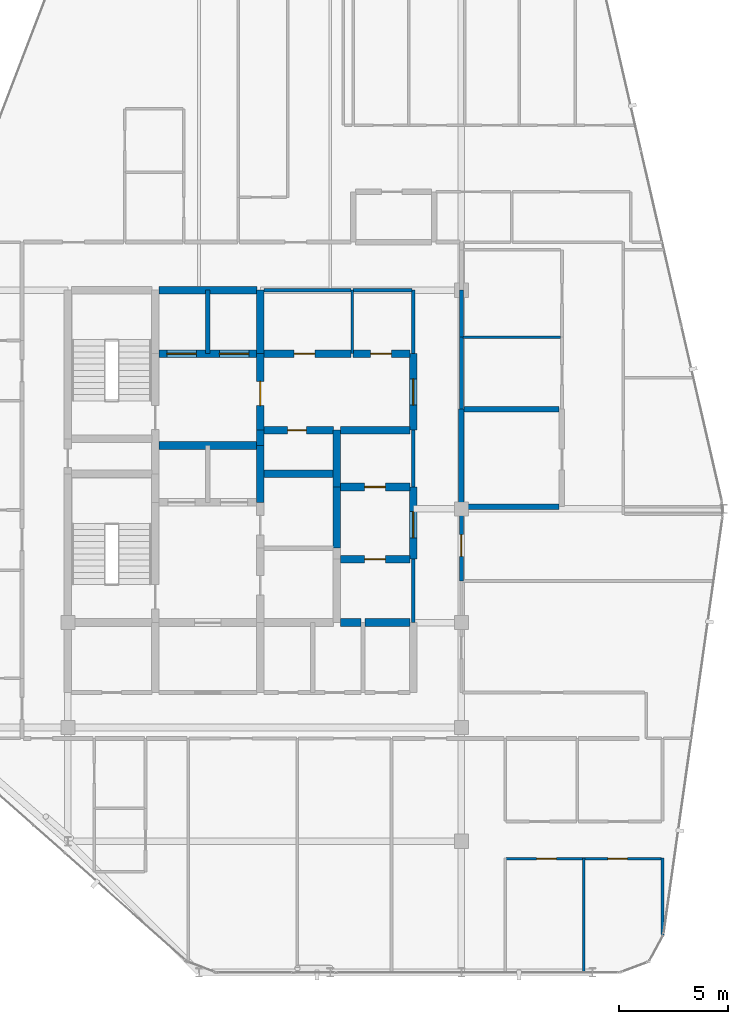
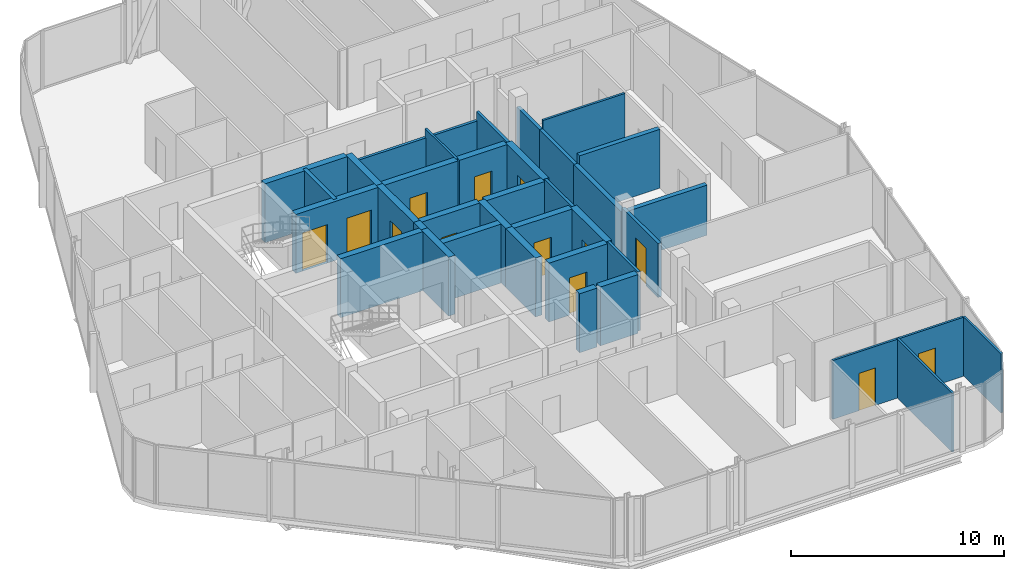
# One storey, part 24 of 27: 37 walls, 13 doors, 13 openings.
"""IFC4 building model written with IfcOpenShell, lengths in metres."""

from ifc_helpers import new_model, si_unit, direction, frame, frame_2d, origin, place, context, subcontext, project, spatial, rectangle, extrude, material, layer, layer_set, type_object, element, fill, save


model = new_model("IFC4")

# Units and contexts
model_context = context("Model", 3, precision=1e-05, world=origin(), true_north=direction((0.0, 1.0)))
body_context = subcontext(model_context, "Body", "Model", "MODEL_VIEW")
ifc_project = project(units=[si_unit("LENGTHUNIT", "METRE"), si_unit("AREAUNIT", "SQUARE_METRE"), si_unit("VOLUMEUNIT", "CUBIC_METRE"), si_unit("PLANEANGLEUNIT", "RADIAN"), si_unit("MASSUNIT", "GRAM", prefix="KILO")], contexts=[model_context])

# Site, building, storey
site_placement = place(None, origin())
site = spatial("IfcSite", under=ifc_project, at=site_placement, CompositionType="ELEMENT")
building_placement = place(site_placement, origin())
building = spatial("IfcBuilding", under=site, at=building_placement, Name="Keshet Zoharim Tower", CompositionType="ELEMENT")
storey_placement = place(building_placement, frame((0.0, 0.0, 295.39990234375)))
storey = spatial("IfcBuildingStorey", under=building, at=storey_placement, Name="L74", CompositionType="ELEMENT", Elevation=295.39990234375)

# Walls
ifc_material_1 = material(Name="Gypsum Plasterboard", Category="gypsum")
ifc_layer_1 = layer(ifc_material_1, 0.14990234375)
ifc_layer_set_1 = layer_set([ifc_layer_1], Name="Gypsum Plasterboard")
wall_type_1 = type_object("IfcWallType", Name="WL-CLIN-150", PredefinedType="STANDARD", material=ifc_layer_set_1)
wall_1_placement = place(storey_placement, frame((30.800048828125, 22.699951171875, 0.0), z_axis=(0.0, 0.0, 1.0), x_axis=(0.0, 1.0, 0.0)))
element("IfcWall", 1, at=wall_1_placement, inside=storey, type_object=wall_type_1, Name="L74 Interior Wall 057", PredefinedType="STANDARD", context=body_context, shape_type="SweptSolid", body=[
    extrude(rectangle(XDim=2.900146484375, YDim=0.14990234375, at=frame_2d((1.4501953125, 0.0))), origin(), (0.0, 0.0, 1.0), 3.380126953125),
])
wall_2_placement = place(storey_placement, frame((30.800048828125, 28.89990234375, 0.0), z_axis=(0.0, 0.0, 1.0), x_axis=(0.0, 1.0, 0.0)))
element("IfcWall", 2, at=wall_2_placement, inside=storey, type_object=wall_type_1, Name="L74 Interior Wall 059", PredefinedType="STANDARD", context=body_context, shape_type="SweptSolid", body=[
    extrude(rectangle(XDim=2.60009765625, YDim=0.14990234375, at=frame_2d((1.300048828125, 0.0))), origin(), (0.0, 0.0, 1.0), 3.380126953125),
])
wall_3_placement = place(storey_placement, frame((30.800048828125, 35.0, 0.0), z_axis=(0.0, 0.0, 1.0), x_axis=(0.0, 1.0, 0.0)))
element("IfcWall", 3, at=wall_3_placement, inside=storey, type_object=wall_type_1, Name="L74 Interior Wall 061", PredefinedType="STANDARD", context=body_context, shape_type="SweptSolid", body=[
    extrude(rectangle(XDim=2.89990234375, YDim=0.14990234375, at=frame_2d((1.449951171875, 0.0))), origin(), (0.0, 0.0, 1.0), 3.380126953125),
])
wall_4_placement = place(storey_placement, frame((23.9599609375, 37.89990234375, 0.0), z_axis=(0.0, 0.0, 1.0), x_axis=(1.0, 0.0, 0.0)))
element("IfcWall", 4, at=wall_4_placement, inside=storey, type_object=wall_type_1, Name="L74 Interior Wall 149", PredefinedType="STANDARD", context=body_context, shape_type="SweptSolid", body=[
    extrude(rectangle(XDim=3.9951171875, YDim=0.14990234375, at=frame_2d((1.99755859375, 0.0))), origin(), (0.0, 0.0, 1.0), 2.880126953125),
])
wall_5_placement = place(storey_placement, frame((28.044921875, 37.89990234375, 0.0), z_axis=(0.0, 0.0, 1.0), x_axis=(1.0, 0.0, 0.0)))
element("IfcWall", 5, at=wall_5_placement, inside=storey, type_object=wall_type_1, Name="L74 Interior Wall 150", PredefinedType="STANDARD", context=body_context, shape_type="SweptSolid", body=[
    extrude(rectangle(XDim=2.695068359375, YDim=0.14990234375, at=frame_2d((1.34765625, 0.0))), origin(), (0.0, 0.0, 1.0), 2.880126953125),
])
ifc_material_2 = material(Name="Concrete C60/75", Category="concrete")
ifc_layer_2 = layer(ifc_material_2, 0.35009765625)
ifc_layer_set_2 = layer_set([ifc_layer_2], Name="Concrete C60/75")
wall_type_2 = type_object("IfcWallType", Name="WL-CORE-350", PredefinedType="SHEAR", material=ifc_layer_set_2)
wall_6_placement = place(storey_placement, frame((23.800048828125, 28.199951171875, 0.0), z_axis=(0.0, 0.0, 1.0), x_axis=(0.0, 1.0, 0.0)))
element("IfcWall", 6, at=wall_6_placement, inside=storey, type_object=wall_type_2, Name="L74 Core Shear Wall 038", PredefinedType="SHEAR", context=body_context, shape_type="SweptSolid", body=[
    extrude(rectangle(XDim=2.60009765625, YDim=0.35009765625, at=frame_2d((1.300048828125, 0.0))), origin(), (0.0, 0.0, 1.0), 3.380126953125),
])
wall_7_placement = place(storey_placement, frame((23.800048828125, 30.800048828125, 0.0), z_axis=(0.0, 0.0, 1.0), x_axis=(0.0, 1.0, 0.0)))
element("IfcWall", 7, at=wall_7_placement, inside=storey, type_object=wall_type_2, Name="L74 Core Shear Wall 039", PredefinedType="SHEAR", context=body_context, shape_type="SweptSolid", body=[
    extrude(rectangle(XDim=0.699951171875, YDim=0.35009765625, at=frame_2d((0.35009765625, 0.0))), origin(), (0.0, 0.0, 1.0), 3.380126953125),
])

# Wall, opening, door
wall_8_placement = place(storey_placement, frame((23.800048828125, 31.5, 0.0), z_axis=(0.0, 0.0, 1.0), x_axis=(0.0, 1.0, 0.0)))
wall_8 = element("IfcWall", 8, at=wall_8_placement, inside=storey, type_object=wall_type_2, Name="L74 Core Shear Wall 040", PredefinedType="SHEAR", context=body_context, shape_type="SweptSolid", body=[
    extrude(rectangle(XDim=3.5, YDim=0.35009765625, at=frame_2d((1.75, 0.0))), origin(), (0.0, 0.0, 1.0), 3.380126953125),
])
opening_1_placement = place(wall_8_placement, frame((1.126953125, 0.0, 0.0)))
opening_1 = element("IfcOpeningElement", 9, at=opening_1_placement, cuts=wall_8, Name="Opening D-F611", PredefinedType="OPENING", context=body_context, shape_type="SweptSolid", body=[
    extrude(rectangle(XDim=1.10009765625, YDim=2.14990234375, at=frame_2d((0.550048828125, 1.074951171875))), frame((0.0, 0.18505859375, 0.0), z_axis=(0.0, -1.0, 0.0), x_axis=(1.0, 0.0, 0.0)), (0.0, 0.0, 1.0), 0.3701171875),
])
ifc_material_3 = material(Name="Hardwood Timber", Category="wood")
door_type_1 = type_object("IfcDoorType", Name="DR-FD60-110", OperationType="NOTDEFINED", PredefinedType="DOOR", material=ifc_material_3)
door_1_placement = place(opening_1_placement, origin())
door_1 = element("IfcDoor", 10, at=door_1_placement, inside=storey, type_object=door_type_1, Name="L74 Firefighting Lobby Fire Door", OperationType="SINGLE_SWING_LEFT", OverallHeight=2.14990234375, OverallWidth=1.10009765625, PredefinedType="DOOR", context=body_context, shape_type="SweptSolid", body=[
    extrude(rectangle(XDim=1.10009765625, YDim=2.14990234375, at=frame_2d((0.550048828125, 1.074951171875))), frame((0.0, 0.02490234375, 0.0), z_axis=(0.0, -1.0, 0.0), x_axis=(1.0, 0.0, 0.0)), (0.0, 0.0, 1.0), 0.050048828125),
])
fill(opening_1, door_1)

# Walls
wall_9_placement = place(storey_placement, frame((23.800048828125, 35.0, 0.0), z_axis=(0.0, 0.0, 1.0), x_axis=(0.0, 1.0, 0.0)))
element("IfcWall", 11, at=wall_9_placement, inside=storey, type_object=wall_type_2, Name="L74 Core Shear Wall 041", PredefinedType="SHEAR", context=body_context, shape_type="SweptSolid", body=[
    extrude(rectangle(XDim=2.89990234375, YDim=0.35009765625, at=frame_2d((1.449951171875, 0.0))), origin(), (0.0, 0.0, 1.0), 3.380126953125),
])
wall_10_placement = place(storey_placement, frame((27.300048828125, 26.10009765625, 0.0), z_axis=(0.0, 0.0, 1.0), x_axis=(0.0, 1.0, 0.0)))
element("IfcWall", 12, at=wall_10_placement, inside=storey, type_object=wall_type_2, Name="L74 Core Shear Wall 047", PredefinedType="SHEAR", context=body_context, shape_type="SweptSolid", body=[
    extrude(rectangle(XDim=2.7998046875, YDim=0.35009765625, at=frame_2d((1.39990234375, 0.0))), origin(), (0.0, 0.0, 1.0), 3.380126953125),
])
wall_11_placement = place(storey_placement, frame((27.300048828125, 28.89990234375, 0.0), z_axis=(0.0, 0.0, 1.0), x_axis=(0.0, 1.0, 0.0)))
element("IfcWall", 13, at=wall_11_placement, inside=storey, type_object=wall_type_2, Name="L74 Core Shear Wall 048", PredefinedType="SHEAR", context=body_context, shape_type="SweptSolid", body=[
    extrude(rectangle(XDim=2.60009765625, YDim=0.35009765625, at=frame_2d((1.300048828125, 0.0))), origin(), (0.0, 0.0, 1.0), 3.380126953125),
])

# Wall, opening, door
wall_12_placement = place(storey_placement, frame((30.800048828125, 25.60009765625, 0.0), z_axis=(0.0, 0.0, 1.0), x_axis=(0.0, 1.0, 0.0)))
wall_12 = element("IfcWall", 14, at=wall_12_placement, inside=storey, type_object=wall_type_2, Name="L74 Core Shear Wall 058", PredefinedType="SHEAR", context=body_context, shape_type="SweptSolid", body=[
    extrude(rectangle(XDim=3.2998046875, YDim=0.35009765625, at=frame_2d((1.64990234375, 0.0))), origin(), (0.0, 0.0, 1.0), 3.380126953125),
])
opening_2_placement = place(wall_12_placement, frame((0.97802734375, 0.0, 0.0)))
opening_2 = element("IfcOpeningElement", 15, at=opening_2_placement, cuts=wall_12, Name="Opening D-F612", PredefinedType="OPENING", context=body_context, shape_type="SweptSolid", body=[
    extrude(rectangle(XDim=1.199951171875, YDim=2.199951171875, at=frame_2d((0.60009765625, 1.10009765625))), frame((0.0, 0.18505859375, 0.0), z_axis=(0.0, -1.0, 0.0), x_axis=(1.0, 0.0, 0.0)), (0.0, 0.0, 1.0), 0.3701171875),
])
door_type_2 = type_object("IfcDoorType", Name="DR-FD60-120", OperationType="NOTDEFINED", PredefinedType="DOOR", material=ifc_material_3)
door_2_placement = place(opening_2_placement, origin())
door_2 = element("IfcDoor", 16, at=door_2_placement, inside=storey, type_object=door_type_2, Name="L74 East Lift Lobby Fire Door", OperationType="SINGLE_SWING_RIGHT", OverallHeight=2.199951171875, OverallWidth=1.199951171875, PredefinedType="DOOR", context=body_context, shape_type="SweptSolid", body=[
    extrude(rectangle(XDim=1.199951171875, YDim=2.199951171875, at=frame_2d((0.60009765625, 1.10009765625))), frame((0.0, 0.02490234375, 0.0), z_axis=(0.0, -1.0, 0.0), x_axis=(1.0, 0.0, 0.0)), (0.0, 0.0, 1.0), 0.050048828125),
])
fill(opening_2, door_2)

wall_13_placement = place(storey_placement, frame((30.800048828125, 31.5, 0.0), z_axis=(0.0, 0.0, 1.0), x_axis=(0.0, 1.0, 0.0)))
wall_13 = element("IfcWall", 17, at=wall_13_placement, inside=storey, type_object=wall_type_2, Name="L74 Core Shear Wall 060", PredefinedType="SHEAR", context=body_context, shape_type="SweptSolid", body=[
    extrude(rectangle(XDim=3.5, YDim=0.35009765625, at=frame_2d((1.75, 0.0))), origin(), (0.0, 0.0, 1.0), 3.380126953125),
])
opening_3_placement = place(wall_13_placement, frame((1.14990234375, 0.0, 0.0)))
opening_3 = element("IfcOpeningElement", 18, at=opening_3_placement, cuts=wall_13, Name="Opening D-F612", PredefinedType="OPENING", context=body_context, shape_type="SweptSolid", body=[
    extrude(rectangle(XDim=1.199951171875, YDim=2.199951171875, at=frame_2d((0.60009765625, 1.10009765625))), frame((0.0, 0.18505859375, 0.0), z_axis=(0.0, -1.0, 0.0), x_axis=(1.0, 0.0, 0.0)), (0.0, 0.0, 1.0), 0.3701171875),
])
door_3_placement = place(opening_3_placement, origin())
door_3 = element("IfcDoor", 19, at=door_3_placement, inside=storey, type_object=door_type_2, Name="L74 North Lift Lobby East Fire Door", OperationType="SINGLE_SWING_LEFT", OverallHeight=2.199951171875, OverallWidth=1.199951171875, PredefinedType="DOOR", context=body_context, shape_type="SweptSolid", body=[
    extrude(rectangle(XDim=1.199951171875, YDim=2.199951171875, at=frame_2d((0.60009765625, 1.10009765625))), frame((0.0, 0.02490234375, 0.0), z_axis=(0.0, -1.0, 0.0), x_axis=(1.0, 0.0, 0.0)), (0.0, 0.0, 1.0), 0.050048828125),
])
fill(opening_3, door_3)

# Walls
wall_14_placement = place(storey_placement, frame((27.4599609375, 22.699951171875, 0.0), z_axis=(0.0, 0.0, 1.0), x_axis=(1.0, 0.0, 0.0)))
element("IfcWall", 20, at=wall_14_placement, inside=storey, type_object=wall_type_2, Name="L74 Core Shear Wall 114", PredefinedType="SHEAR", context=body_context, shape_type="SweptSolid", body=[
    extrude(rectangle(XDim=0.955078125, YDim=0.35009765625, at=frame_2d((0.4775390625, 0.0))), origin(), (0.0, 0.0, 1.0), 3.380126953125),
])
wall_15_placement = place(storey_placement, frame((28.5849609375, 22.699951171875, 0.0), z_axis=(0.0, 0.0, 1.0), x_axis=(1.0, 0.0, 0.0)))
element("IfcWall", 21, at=wall_15_placement, inside=storey, type_object=wall_type_2, Name="L74 Core Shear Wall 115", PredefinedType="SHEAR", context=body_context, shape_type="SweptSolid", body=[
    extrude(rectangle(XDim=2.054931640625, YDim=0.35009765625, at=frame_2d((1.02734375, 0.0))), origin(), (0.0, 0.0, 1.0), 3.380126953125),
])

# Wall, opening, door
wall_16_placement = place(storey_placement, frame((27.4599609375, 25.60009765625, 0.0), z_axis=(0.0, 0.0, 1.0), x_axis=(1.0, 0.0, 0.0)))
wall_16 = element("IfcWall", 22, at=wall_16_placement, inside=storey, type_object=wall_type_2, Name="L74 Core Shear Wall 120", PredefinedType="SHEAR", context=body_context, shape_type="SweptSolid", body=[
    extrude(rectangle(XDim=3.179931640625, YDim=0.35009765625, at=frame_2d((1.58984375, 0.0))), origin(), (0.0, 0.0, 1.0), 3.380126953125),
])
opening_4_placement = place(wall_16_placement, frame((1.114990234375, 0.0, 0.0)))
opening_4 = element("IfcOpeningElement", 23, at=opening_4_placement, cuts=wall_16, Name="Opening D-F695", PredefinedType="OPENING", context=body_context, shape_type="SweptSolid", body=[
    extrude(rectangle(XDim=0.949951171875, YDim=2.14990234375, at=frame_2d((0.47509765625, 1.074951171875))), frame((0.0, 0.18505859375, 0.0), z_axis=(0.0, -1.0, 0.0), x_axis=(1.0, 0.0, 0.0)), (0.0, 0.0, 1.0), 0.3701171875),
])
door_type_3 = type_object("IfcDoorType", Name="DR-FD60-095", OperationType="NOTDEFINED", PredefinedType="DOOR", material=ifc_material_3)
door_4_placement = place(opening_4_placement, origin())
door_4 = element("IfcDoor", 24, at=door_4_placement, inside=storey, type_object=door_type_3, Name="L74 Study Alcove Door", OperationType="SINGLE_SWING_LEFT", OverallHeight=2.14990234375, OverallWidth=0.949951171875, PredefinedType="DOOR", context=body_context, shape_type="SweptSolid", body=[
    extrude(rectangle(XDim=0.949951171875, YDim=2.14990234375, at=frame_2d((0.47509765625, 1.074951171875))), frame((0.0, 0.02490234375, 0.0), z_axis=(0.0, -1.0, 0.0), x_axis=(1.0, 0.0, 0.0)), (0.0, 0.0, 1.0), 0.050048828125),
])
fill(opening_4, door_4)

wall_17_placement = place(storey_placement, frame((27.4599609375, 28.89990234375, 0.0), z_axis=(0.0, 0.0, 1.0), x_axis=(1.0, 0.0, 0.0)))
wall_17 = element("IfcWall", 25, at=wall_17_placement, inside=storey, type_object=wall_type_2, Name="L74 Core Shear Wall 129", PredefinedType="SHEAR", context=body_context, shape_type="SweptSolid", body=[
    extrude(rectangle(XDim=3.179931640625, YDim=0.35009765625, at=frame_2d((1.58984375, 0.0))), origin(), (0.0, 0.0, 1.0), 3.380126953125),
])
opening_5_placement = place(wall_17_placement, frame((1.114990234375, 0.0, 0.0)))
opening_5 = element("IfcOpeningElement", 26, at=opening_5_placement, cuts=wall_17, Name="Opening D-F695", PredefinedType="OPENING", context=body_context, shape_type="SweptSolid", body=[
    extrude(rectangle(XDim=0.949951171875, YDim=2.14990234375, at=frame_2d((0.47509765625, 1.074951171875))), frame((0.0, 0.18505859375, 0.0), z_axis=(0.0, -1.0, 0.0), x_axis=(1.0, 0.0, 0.0)), (0.0, 0.0, 1.0), 0.3701171875),
])
door_5_placement = place(opening_5_placement, frame((0.949951171875, 0.0, 0.0), z_axis=(0.0, 0.0, 1.0), x_axis=(-1.0, 0.0, 0.0)))
door_5 = element("IfcDoor", 27, at=door_5_placement, inside=storey, type_object=door_type_3, Name="L74 Parcel Store Door", OperationType="SINGLE_SWING_LEFT", OverallHeight=2.14990234375, OverallWidth=0.949951171875, PredefinedType="DOOR", context=body_context, shape_type="SweptSolid", body=[
    extrude(rectangle(XDim=0.949951171875, YDim=2.14990234375, at=frame_2d((0.47509765625, 1.074951171875))), frame((0.0, 0.02490234375, 0.0), z_axis=(0.0, -1.0, 0.0), x_axis=(1.0, 0.0, 0.0)), (0.0, 0.0, 1.0), 0.050048828125),
])
fill(opening_5, door_5)

# Walls
wall_18_placement = place(storey_placement, frame((23.9599609375, 29.5, 0.0), z_axis=(0.0, 0.0, 1.0), x_axis=(1.0, 0.0, 0.0)))
element("IfcWall", 28, at=wall_18_placement, inside=storey, type_object=wall_type_2, Name="L74 Core Shear Wall 131", PredefinedType="SHEAR", context=body_context, shape_type="SweptSolid", body=[
    extrude(rectangle(XDim=3.179931640625, YDim=0.35009765625, at=frame_2d((1.58984375, 0.0))), origin(), (0.0, 0.0, 1.0), 3.380126953125),
])
wall_19_placement = place(storey_placement, frame((19.159912109375, 30.800048828125, 0.0), z_axis=(0.0, 0.0, 1.0), x_axis=(1.0, 0.0, 0.0)))
element("IfcWall", 29, at=wall_19_placement, inside=storey, type_object=wall_type_2, Name="L74 Core Shear Wall 132", PredefinedType="SHEAR", context=body_context, shape_type="SweptSolid", body=[
    extrude(rectangle(XDim=4.47998046875, YDim=0.35009765625, at=frame_2d((2.239990234375, 0.0))), origin(), (0.0, 0.0, 1.0), 3.380126953125),
])

# Wall, opening, door
wall_20_placement = place(storey_placement, frame((23.9599609375, 31.5, 0.0), z_axis=(0.0, 0.0, 1.0), x_axis=(1.0, 0.0, 0.0)))
wall_20 = element("IfcWall", 30, at=wall_20_placement, inside=storey, type_object=wall_type_2, Name="L74 Core Shear Wall 134", PredefinedType="SHEAR", context=body_context, shape_type="SweptSolid", body=[
    extrude(rectangle(XDim=3.179931640625, YDim=0.35009765625, at=frame_2d((1.58984375, 0.0))), origin(), (0.0, 0.0, 1.0), 3.380126953125),
])
opening_6_placement = place(wall_20_placement, frame((1.093994140625, 0.0, 0.0)))
opening_6 = element("IfcOpeningElement", 31, at=opening_6_placement, cuts=wall_20, Name="Opening D-RS85", PredefinedType="OPENING", context=body_context, shape_type="SweptSolid", body=[
    extrude(rectangle(XDim=0.85009765625, YDim=2.10009765625, at=frame_2d((0.425048828125, 1.050048828125))), frame((0.0, 0.18505859375, 0.0), z_axis=(0.0, -1.0, 0.0), x_axis=(1.0, 0.0, 0.0)), (0.0, 0.0, 1.0), 0.3701171875),
])
door_type_4 = type_object("IfcDoorType", Name="DR-RIS-085", OperationType="NOTDEFINED", PredefinedType="DOOR", material=ifc_material_3)
door_6_placement = place(opening_6_placement, origin())
door_6 = element("IfcDoor", 32, at=door_6_placement, inside=storey, type_object=door_type_4, Name="L74 Telecom Riser Access Cupboard Door", OperationType="SINGLE_SWING_RIGHT", OverallHeight=2.10009765625, OverallWidth=0.85009765625, PredefinedType="DOOR", context=body_context, shape_type="SweptSolid", body=[
    extrude(rectangle(XDim=0.85009765625, YDim=2.10009765625, at=frame_2d((0.425048828125, 1.050048828125))), frame((0.0, 0.02490234375, 0.0), z_axis=(0.0, -1.0, 0.0), x_axis=(1.0, 0.0, 0.0)), (0.0, 0.0, 1.0), 0.050048828125),
])
fill(opening_6, door_6)

# Wall
wall_21_placement = place(storey_placement, frame((27.4599609375, 31.5, 0.0), z_axis=(0.0, 0.0, 1.0), x_axis=(1.0, 0.0, 0.0)))
element("IfcWall", 33, at=wall_21_placement, inside=storey, type_object=wall_type_2, Name="L74 Core Shear Wall 135", PredefinedType="SHEAR", context=body_context, shape_type="SweptSolid", body=[
    extrude(rectangle(XDim=3.179931640625, YDim=0.35009765625, at=frame_2d((1.58984375, 0.0))), origin(), (0.0, 0.0, 1.0), 3.380126953125),
])

# Wall, openings, doors
wall_22_placement = place(storey_placement, frame((19.159912109375, 35.0, 0.0), z_axis=(0.0, 0.0, 1.0), x_axis=(1.0, 0.0, 0.0)))
wall_22 = element("IfcWall", 34, at=wall_22_placement, inside=storey, type_object=wall_type_2, Name="L74 Core Shear Wall 141", PredefinedType="SHEAR", context=body_context, shape_type="SweptSolid", body=[
    extrude(rectangle(XDim=4.47998046875, YDim=0.35009765625, at=frame_2d((2.239990234375, 0.0))), origin(), (0.0, 0.0, 1.0), 3.380126953125),
])
opening_7_placement = place(wall_22_placement, frame((0.364990234375, 0.0, 0.0)))
opening_7 = element("IfcOpeningElement", 35, at=opening_7_placement, cuts=wall_22, Name="Opening LD-02", PredefinedType="OPENING", context=body_context, shape_type="SweptSolid", body=[
    extrude(rectangle(XDim=1.35009765625, YDim=2.199951171875, at=frame_2d((0.675048828125, 1.10009765625))), frame((0.0, 0.18505859375, 0.0), z_axis=(0.0, -1.0, 0.0), x_axis=(1.0, 0.0, 0.0)), (0.0, 0.0, 1.0), 0.3701171875),
])
opening_8_placement = place(wall_22_placement, frame((2.764892578125, 0.0, 0.0)))
opening_8 = element("IfcOpeningElement", 36, at=opening_8_placement, cuts=wall_22, Name="Opening LD-02", PredefinedType="OPENING", context=body_context, shape_type="SweptSolid", body=[
    extrude(rectangle(XDim=1.35009765625, YDim=2.199951171875, at=frame_2d((0.675048828125, 1.10009765625))), frame((0.0, 0.18505859375, 0.0), z_axis=(0.0, -1.0, 0.0), x_axis=(1.0, 0.0, 0.0)), (0.0, 0.0, 1.0), 0.3701171875),
])
ifc_material_4 = material(Name="Steel S355", Category="steel")
door_type_5 = type_object("IfcDoorType", Name="DR-LD02-135", OperationType="DOUBLE_DOOR_SLIDING", PredefinedType="DOOR", material=ifc_material_4)
door_7_placement = place(opening_7_placement, origin())
door_7 = element("IfcDoor", 37, at=door_7_placement, inside=storey, type_object=door_type_5, Name="L74 Firefighting Lift Landing Door FF-01", OperationType="DOUBLE_DOOR_SLIDING", OverallHeight=2.199951171875, OverallWidth=1.35009765625, PredefinedType="DOOR", context=body_context, shape_type="SweptSolid", body=[
    extrude(rectangle(XDim=1.35009765625, YDim=2.199951171875, at=frame_2d((0.675048828125, 1.10009765625))), frame((0.0, 0.02490234375, 0.0), z_axis=(0.0, -1.0, 0.0), x_axis=(1.0, 0.0, 0.0)), (0.0, 0.0, 1.0), 0.050048828125),
])
fill(opening_7, door_7)
door_8_placement = place(opening_8_placement, origin())
door_8 = element("IfcDoor", 38, at=door_8_placement, inside=storey, type_object=door_type_5, Name="L74 Firefighting Lift Landing Door FF-02", OperationType="DOUBLE_DOOR_SLIDING", OverallHeight=2.199951171875, OverallWidth=1.35009765625, PredefinedType="DOOR", context=body_context, shape_type="SweptSolid", body=[
    extrude(rectangle(XDim=1.35009765625, YDim=2.199951171875, at=frame_2d((0.675048828125, 1.10009765625))), frame((0.0, 0.02490234375, 0.0), z_axis=(0.0, -1.0, 0.0), x_axis=(1.0, 0.0, 0.0)), (0.0, 0.0, 1.0), 0.050048828125),
])
fill(opening_8, door_8)

# Wall, opening, door
wall_23_placement = place(storey_placement, frame((23.9599609375, 35.0, 0.0), z_axis=(0.0, 0.0, 1.0), x_axis=(1.0, 0.0, 0.0)))
wall_23 = element("IfcWall", 39, at=wall_23_placement, inside=storey, type_object=wall_type_2, Name="L74 Core Shear Wall 142", PredefinedType="SHEAR", context=body_context, shape_type="SweptSolid", body=[
    extrude(rectangle(XDim=3.9951171875, YDim=0.35009765625, at=frame_2d((1.99755859375, 0.0))), origin(), (0.0, 0.0, 1.0), 3.380126953125),
])
opening_9_placement = place(wall_23_placement, frame((1.39306640625, 0.0, 0.0)))
opening_9 = element("IfcOpeningElement", 40, at=opening_9_placement, cuts=wall_23, Name="Opening D-F695", PredefinedType="OPENING", context=body_context, shape_type="SweptSolid", body=[
    extrude(rectangle(XDim=0.949951171875, YDim=2.14990234375, at=frame_2d((0.47509765625, 1.074951171875))), frame((0.0, 0.18505859375, 0.0), z_axis=(0.0, -1.0, 0.0), x_axis=(1.0, 0.0, 0.0)), (0.0, 0.0, 1.0), 0.3701171875),
])
door_9_placement = place(opening_9_placement, frame((0.949951171875, 0.0, 0.0), z_axis=(0.0, 0.0, 1.0), x_axis=(-1.0, 0.0, 0.0)))
door_9 = element("IfcDoor", 41, at=door_9_placement, inside=storey, type_object=door_type_3, Name="L74 Laundry Room Door", OperationType="SINGLE_SWING_LEFT", OverallHeight=2.14990234375, OverallWidth=0.949951171875, PredefinedType="DOOR", context=body_context, shape_type="SweptSolid", body=[
    extrude(rectangle(XDim=0.949951171875, YDim=2.14990234375, at=frame_2d((0.47509765625, 1.074951171875))), frame((0.0, 0.02490234375, 0.0), z_axis=(0.0, -1.0, 0.0), x_axis=(1.0, 0.0, 0.0)), (0.0, 0.0, 1.0), 0.050048828125),
])
fill(opening_9, door_9)

wall_24_placement = place(storey_placement, frame((28.044921875, 35.0, 0.0), z_axis=(0.0, 0.0, 1.0), x_axis=(1.0, 0.0, 0.0)))
wall_24 = element("IfcWall", 42, at=wall_24_placement, inside=storey, type_object=wall_type_2, Name="L74 Core Shear Wall 143", PredefinedType="SHEAR", context=body_context, shape_type="SweptSolid", body=[
    extrude(rectangle(XDim=2.594970703125, YDim=0.35009765625, at=frame_2d((1.29736328125, 0.0))), origin(), (0.0, 0.0, 1.0), 3.380126953125),
])
opening_10_placement = place(wall_24_placement, frame((0.805908203125, 0.0, 0.0)))
opening_10 = element("IfcOpeningElement", 43, at=opening_10_placement, cuts=wall_24, Name="Opening D-F695", PredefinedType="OPENING", context=body_context, shape_type="SweptSolid", body=[
    extrude(rectangle(XDim=0.949951171875, YDim=2.14990234375, at=frame_2d((0.47509765625, 1.074951171875))), frame((0.0, 0.18505859375, 0.0), z_axis=(0.0, -1.0, 0.0), x_axis=(1.0, 0.0, 0.0)), (0.0, 0.0, 1.0), 0.3701171875),
])
door_10_placement = place(opening_10_placement, frame((0.949951171875, 0.0, 0.0), z_axis=(0.0, 0.0, 1.0), x_axis=(-1.0, 0.0, 0.0)))
door_10 = element("IfcDoor", 44, at=door_10_placement, inside=storey, type_object=door_type_3, Name="L74 Quiet Study Room Door", OperationType="SINGLE_SWING_RIGHT", OverallHeight=2.14990234375, OverallWidth=0.949951171875, PredefinedType="DOOR", context=body_context, shape_type="SweptSolid", body=[
    extrude(rectangle(XDim=0.949951171875, YDim=2.14990234375, at=frame_2d((0.47509765625, 1.074951171875))), frame((0.0, 0.02490234375, 0.0), z_axis=(0.0, -1.0, 0.0), x_axis=(1.0, 0.0, 0.0)), (0.0, 0.0, 1.0), 0.050048828125),
])
fill(opening_10, door_10)

# Wall
wall_25_placement = place(storey_placement, frame((19.159912109375, 37.89990234375, 0.0), z_axis=(0.0, 0.0, 1.0), x_axis=(1.0, 0.0, 0.0)))
element("IfcWall", 45, at=wall_25_placement, inside=storey, type_object=wall_type_2, Name="L74 Core Shear Wall 148", PredefinedType="SHEAR", context=body_context, shape_type="SweptSolid", body=[
    extrude(rectangle(XDim=4.47998046875, YDim=0.35009765625, at=frame_2d((2.239990234375, 0.0))), origin(), (0.0, 0.0, 1.0), 3.380126953125),
])

# Wall, opening, door
ifc_layer_3 = layer(ifc_material_1, 0.179931640625)
ifc_layer_set_3 = layer_set([ifc_layer_3], Name="Gypsum Plasterboard")
wall_type_3 = type_object("IfcWallType", Name="WL-CORR-180", PredefinedType="STANDARD", material=ifc_layer_set_3)
wall_26_placement = place(storey_placement, frame((33.0, 24.60009765625, 0.0), z_axis=(0.0, 0.0, 1.0), x_axis=(0.0, 1.0, 0.0)))
wall_26 = element("IfcWall", 46, at=wall_26_placement, inside=storey, type_object=wall_type_3, Name="L74 Interior Wall 064", PredefinedType="STANDARD", context=body_context, shape_type="SweptSolid", body=[
    extrude(rectangle(XDim=3.39990234375, YDim=0.179931640625, at=frame_2d((1.699951171875, 0.0))), origin(), (0.0, 0.0, 1.0), 3.090087890625),
])
opening_11_placement = place(wall_26_placement, frame((1.126953125, 0.0, 0.0)))
opening_11 = element("IfcOpeningElement", 47, at=opening_11_placement, cuts=wall_26, Name="Opening D-F310", PredefinedType="OPENING", context=body_context, shape_type="SweptSolid", body=[
    extrude(rectangle(XDim=1.0, YDim=2.14990234375, at=frame_2d((0.5, 1.074951171875))), frame((0.0, 0.10009765625, 0.0), z_axis=(0.0, -1.0, 0.0), x_axis=(1.0, 0.0, 0.0)), (0.0, 0.0, 1.0), 0.199951171875),
])
door_type_6 = type_object("IfcDoorType", Name="DR-FD30-100", OperationType="NOTDEFINED", PredefinedType="DOOR", material=ifc_material_3)
door_11_placement = place(opening_11_placement, origin())
door_11 = element("IfcDoor", 48, at=door_11_placement, inside=storey, type_object=door_type_6, Name="Apartment 7408 Entrance Door", OperationType="SINGLE_SWING_LEFT", OverallHeight=2.14990234375, OverallWidth=1.0, PredefinedType="DOOR", context=body_context, shape_type="SweptSolid", body=[
    extrude(rectangle(XDim=1.0, YDim=2.14990234375, at=frame_2d((0.5, 1.074951171875))), frame((0.0, 0.02490234375, 0.0), z_axis=(0.0, -1.0, 0.0), x_axis=(1.0, 0.0, 0.0)), (0.0, 0.0, 1.0), 0.050048828125),
])
fill(opening_11, door_11)

# Walls
wall_27_placement = place(storey_placement, frame((33.0, 32.465087890625, 0.0), z_axis=(0.0, 0.0, 1.0), x_axis=(0.0, 1.0, 0.0)))
element("IfcWall", 49, at=wall_27_placement, inside=storey, type_object=wall_type_3, Name="L74 Interior Wall 066", PredefinedType="STANDARD", context=body_context, shape_type="SweptSolid", body=[
    extrude(rectangle(XDim=3.289794921875, YDim=0.179931640625, at=frame_2d((1.64501953125, 0.0))), origin(), (0.0, 0.0, 1.0), 2.880126953125),
])
wall_28_placement = place(storey_placement, frame((33.0, 35.7548828125, 0.0), z_axis=(0.0, 0.0, 1.0), x_axis=(0.0, 1.0, 0.0)))
element("IfcWall", 50, at=wall_28_placement, inside=storey, type_object=wall_type_3, Name="L74 Interior Wall 067", PredefinedType="STANDARD", context=body_context, shape_type="SweptSolid", body=[
    extrude(rectangle(XDim=2.14501953125, YDim=0.179931640625, at=frame_2d((1.072509765625, 0.0))), origin(), (0.0, 0.0, 1.0), 2.880126953125),
])
ifc_material_5 = material(Name="Concrete C50/60", Category="concrete")
ifc_layer_4 = layer(ifc_material_5, 0.199951171875)
ifc_layer_set_4 = layer_set([ifc_layer_4], Name="Concrete C50/60")
wall_type_4 = type_object("IfcWallType", Name="WL-FIRE-200", PredefinedType="STANDARD", material=ifc_layer_set_4)
wall_29_placement = place(storey_placement, frame((21.39990234375, 35.0, 0.0), z_axis=(0.0, 0.0, 1.0), x_axis=(0.0, 1.0, 0.0)))
element("IfcWall", 51, at=wall_29_placement, inside=storey, type_object=wall_type_4, Name="L74 Interior Wall 032", PredefinedType="STANDARD", context=body_context, shape_type="SweptSolid", body=[
    extrude(rectangle(XDim=2.89990234375, YDim=0.199951171875, at=frame_2d((1.449951171875, 0.0))), origin(), (0.0, 0.0, 1.0), 3.380126953125),
])
ifc_layer_5 = layer(ifc_material_5, 0.25)
ifc_layer_set_5 = layer_set([ifc_layer_5], Name="Concrete C50/60")
wall_type_5 = type_object("IfcWallType", Name="WL-MAMAD-250", PredefinedType="STANDARD", material=ifc_layer_set_5)
wall_30_placement = place(storey_placement, frame((33.0, 28.0, 0.0), z_axis=(0.0, 0.0, 1.0), x_axis=(0.0, 1.0, 0.0)))
element("IfcWall", 52, at=wall_30_placement, inside=storey, type_object=wall_type_5, Name="L74 Interior Wall 065", PredefinedType="STANDARD", context=body_context, shape_type="SweptSolid", body=[
    extrude(rectangle(XDim=4.465087890625, YDim=0.25, at=frame_2d((2.232421875, 0.0))), origin(), (0.0, 0.0, 1.0), 2.880126953125),
])
wall_31_placement = place(storey_placement, frame((33.110107421875, 28.0, 0.0), z_axis=(0.0, 0.0, 1.0), x_axis=(1.0, 0.0, 0.0)))
element("IfcWall", 53, at=wall_31_placement, inside=storey, type_object=wall_type_5, Name="L74 Interior Wall 126", PredefinedType="STANDARD", context=body_context, shape_type="SweptSolid", body=[
    extrude(rectangle(XDim=4.35986328125, YDim=0.25, at=frame_2d((2.179931640625, 0.0))), origin(), (0.0, 0.0, 1.0), 2.880126953125),
])
wall_32_placement = place(storey_placement, frame((33.110107421875, 32.449951171875, 0.0), z_axis=(0.0, 0.0, 1.0), x_axis=(1.0, 0.0, 0.0)))
element("IfcWall", 54, at=wall_32_placement, inside=storey, type_object=wall_type_5, Name="L74 Interior Wall 136", PredefinedType="STANDARD", context=body_context, shape_type="SweptSolid", body=[
    extrude(rectangle(XDim=4.35986328125, YDim=0.25, at=frame_2d((2.179931640625, 0.0))), origin(), (0.0, 0.0, 1.0), 3.380126953125),
])
ifc_layer_6 = layer(ifc_material_1, 0.1201171875)
ifc_layer_set_6 = layer_set([ifc_layer_6], Name="Gypsum Plasterboard")
wall_type_6 = type_object("IfcWallType", Name="WL-PART-120", PredefinedType="PARTITIONING", material=ifc_layer_set_6)
wall_33_placement = place(storey_placement, frame((28.0, 35.0, 0.0), z_axis=(0.0, 0.0, 1.0), x_axis=(0.0, 1.0, 0.0)))
element("IfcWall", 55, at=wall_33_placement, inside=storey, type_object=wall_type_6, Name="L74 Interior Wall 050", PredefinedType="PARTITIONING", context=body_context, shape_type="SweptSolid", body=[
    extrude(rectangle(XDim=2.89990234375, YDim=0.1201171875, at=frame_2d((1.449951171875, 0.0))), origin(), (0.0, 0.0, 1.0), 3.380126953125),
])
wall_34_placement = place(storey_placement, frame((38.60009765625, 6.7099609375, 0.0), z_axis=(0.0, 0.0, 1.0), x_axis=(0.0, 1.0, 0.0)))
element("IfcWall", 56, at=wall_34_placement, inside=storey, type_object=wall_type_6, Name="L74 Interior Wall 079", PredefinedType="PARTITIONING", context=body_context, shape_type="SweptSolid", body=[
    extrude(rectangle(XDim=5.2099609375, YDim=0.1201171875, at=frame_2d((2.60498046875, 0.0))), origin(), (0.0, 0.0, 1.0), 3.380126953125),
])
wall_35_placement = place(storey_placement, frame((42.199951171875, 8.35107421875, 0.0), z_axis=(0.0, 0.0, 1.0), x_axis=(0.0, 1.0, 0.0)))
element("IfcWall", 57, at=wall_35_placement, inside=storey, type_object=wall_type_6, Name="L74 Interior Wall 085", PredefinedType="PARTITIONING", context=body_context, shape_type="SweptSolid", body=[
    extrude(rectangle(XDim=3.56884765625, YDim=0.1201171875, at=frame_2d((1.784423828125, 0.0))), origin(), (0.0, 0.0, 1.0), 3.380126953125),
])

# Wall, openings, doors
wall_36_placement = place(storey_placement, frame((35.034912109375, 11.89990234375, 0.0), z_axis=(0.0, 0.0, 1.0), x_axis=(1.0, 0.0, 0.0)))
wall_36 = element("IfcWall", 58, at=wall_36_placement, inside=storey, type_object=wall_type_6, Name="L74 Interior Wall 088", PredefinedType="PARTITIONING", context=body_context, shape_type="SweptSolid", body=[
    extrude(rectangle(XDim=7.111083984375, YDim=0.1201171875, at=frame_2d((3.5556640625, 0.0))), origin(), (0.0, 0.0, 1.0), 3.380126953125),
])
opening_12_placement = place(wall_36_placement, frame((1.408935546875, 0.0, 0.0)))
opening_12 = element("IfcOpeningElement", 59, at=opening_12_placement, cuts=wall_36, Name="Opening D-IN90", PredefinedType="OPENING", context=body_context, shape_type="SweptSolid", body=[
    extrude(rectangle(XDim=0.89990234375, YDim=2.14990234375, at=frame_2d((0.449951171875, 1.074951171875))), frame((0.0, 0.070068359375, 0.0), z_axis=(0.0, -1.0, 0.0), x_axis=(1.0, 0.0, 0.0)), (0.0, 0.0, 1.0), 0.14013671875),
])
opening_13_placement = place(wall_36_placement, frame((4.659912109375, 0.0, 0.0)))
opening_13 = element("IfcOpeningElement", 60, at=opening_13_placement, cuts=wall_36, Name="Opening D-IN90", PredefinedType="OPENING", context=body_context, shape_type="SweptSolid", body=[
    extrude(rectangle(XDim=0.89990234375, YDim=2.14990234375, at=frame_2d((0.449951171875, 1.074951171875))), frame((0.0, 0.070068359375, 0.0), z_axis=(0.0, -1.0, 0.0), x_axis=(1.0, 0.0, 0.0)), (0.0, 0.0, 1.0), 0.14013671875),
])
door_type_7 = type_object("IfcDoorType", Name="DR-INT-090", OperationType="NOTDEFINED", PredefinedType="DOOR", material=ifc_material_3)
door_12_placement = place(opening_12_placement, origin())
door_12 = element("IfcDoor", 61, at=door_12_placement, inside=storey, type_object=door_type_7, Name="Apartment 7402 Bedroom 1 Door", OperationType="SINGLE_SWING_LEFT", OverallHeight=2.14990234375, OverallWidth=0.89990234375, PredefinedType="DOOR", context=body_context, shape_type="SweptSolid", body=[
    extrude(rectangle(XDim=0.89990234375, YDim=2.14990234375, at=frame_2d((0.449951171875, 1.074951171875))), frame((0.0, 0.02490234375, 0.0), z_axis=(0.0, -1.0, 0.0), x_axis=(1.0, 0.0, 0.0)), (0.0, 0.0, 1.0), 0.050048828125),
])
fill(opening_12, door_12)
door_13_placement = place(opening_13_placement, origin())
door_13 = element("IfcDoor", 62, at=door_13_placement, inside=storey, type_object=door_type_7, Name="Apartment 7402 Bedroom 2 Door", OperationType="SINGLE_SWING_RIGHT", OverallHeight=2.14990234375, OverallWidth=0.89990234375, PredefinedType="DOOR", context=body_context, shape_type="SweptSolid", body=[
    extrude(rectangle(XDim=0.89990234375, YDim=2.14990234375, at=frame_2d((0.449951171875, 1.074951171875))), frame((0.0, 0.02490234375, 0.0), z_axis=(0.0, -1.0, 0.0), x_axis=(1.0, 0.0, 0.0)), (0.0, 0.0, 1.0), 0.050048828125),
])
fill(opening_13, door_13)

# Wall
ifc_layer_7 = layer(ifc_material_1, 0.1201171875)
ifc_layer_set_7 = layer_set([ifc_layer_7], Name="Gypsum Plasterboard")
wall_type_7 = type_object("IfcWallType", Name="WL-WET-120", PredefinedType="PARTITIONING", material=ifc_layer_set_7)
wall_37_placement = place(storey_placement, frame((33.074951171875, 35.75, 0.0), z_axis=(0.0, 0.0, 1.0), x_axis=(1.0, 0.0, 0.0)))
element("IfcWall", 63, at=wall_37_placement, inside=storey, type_object=wall_type_7, Name="L74 Interior Wall 146", PredefinedType="PARTITIONING", context=body_context, shape_type="SweptSolid", body=[
    extrude(rectangle(XDim=4.4599609375, YDim=0.1201171875, at=frame_2d((2.22998046875, 0.0))), origin(), (0.0, 0.0, 1.0), 3.380126953125),
])

save(model, "model.ifc")
